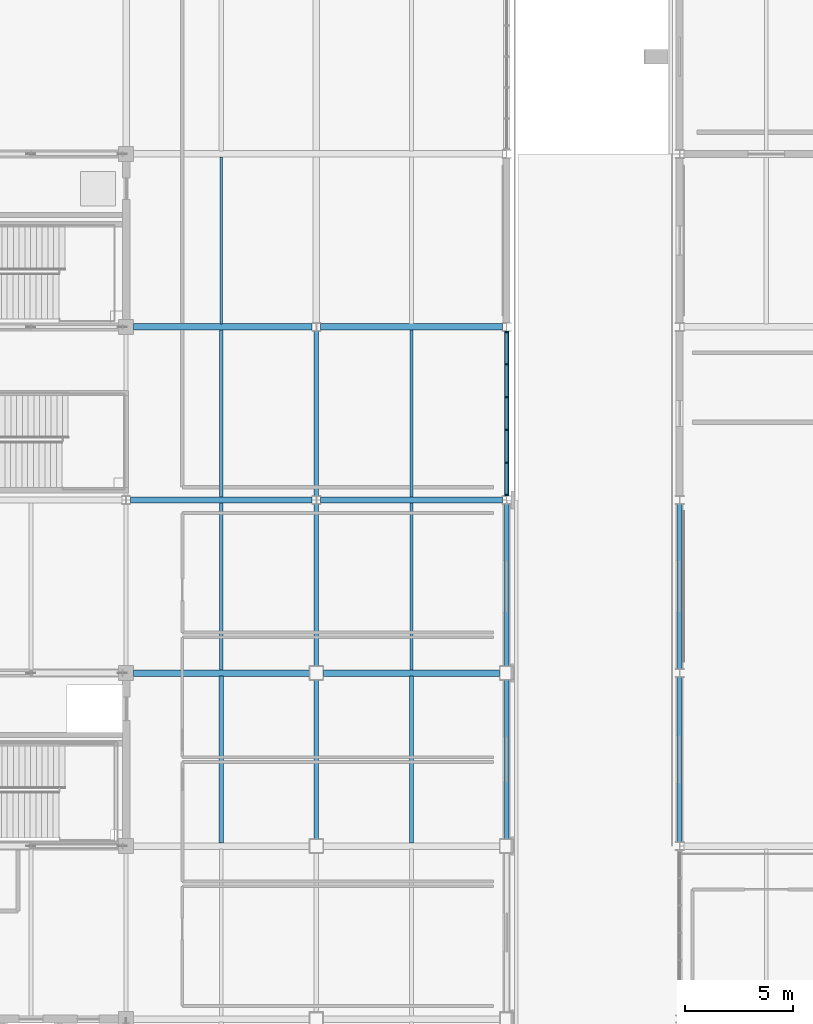
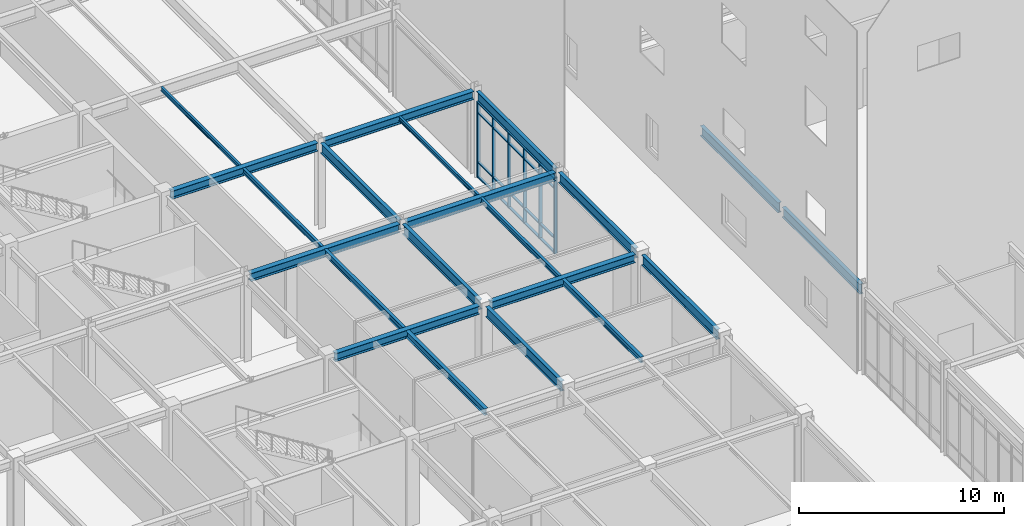
# One storey, part 42 of 119: 26 members, 21 beams, 1 element without a shape of its own.
"""IFC4 building model written with IfcOpenShell, lengths in metres."""

from ifc_helpers import new_model, si_unit, direction, frame, origin, origin_2d, place, context, subcontext, project, spatial, rectangle, i_section, extrude, material, material_profile, profile_set, type_object, element, aggregate, save


model = new_model("IFC4")

# Units and contexts
model_context = context("Model", 3, precision=1e-05, world=origin(), true_north=direction((0.0, 1.0)))
body_context = subcontext(model_context, "Body", "Model", "MODEL_VIEW")
ifc_project = project(units=[si_unit("LENGTHUNIT", "METRE"), si_unit("AREAUNIT", "SQUARE_METRE"), si_unit("VOLUMEUNIT", "CUBIC_METRE"), si_unit("PLANEANGLEUNIT", "RADIAN"), si_unit("MASSUNIT", "GRAM", prefix="KILO")], contexts=[model_context])

# Site, building, storey
site_placement = place(None, origin())
site = spatial("IfcSite", under=ifc_project, at=site_placement, CompositionType="ELEMENT")
building_placement = place(site_placement, origin())
building = spatial("IfcBuilding", under=site, at=building_placement, Name="Zhaolan Boulevard Law Courts", CompositionType="ELEMENT")
storey_placement = place(building_placement, origin())
storey = spatial("IfcBuildingStorey", under=building, at=storey_placement, Name="L00", CompositionType="ELEMENT", Elevation=0.0)

# Curtain wall, members
ifc_material_1 = material(Name="Thermally broken aluminium and low-E glazing", Category="aluminium")
curtain_wall_type = type_object("IfcCurtainWallType", Name="CURTAIN WALL M8", PredefinedType="USERDEFINED", material=ifc_material_1)
curtain_wall_placement = place(storey_placement, origin())
curtain_wall = element("IfcCurtainWall", 1, at=curtain_wall_placement, inside=storey, type_object=curtain_wall_type, Name="Curtain Wall CW-L00-104", ObjectType="CURTAIN WALL", PredefinedType="USERDEFINED")
ifc_material_2 = material(Name="Fluorocarbon-coated aluminium 6063-T6", Category="aluminium")
ifc_material_profile_1 = material_profile(ifc_material_2, rectangle(XDim=0.179931640625, YDim=0.06494140625, at=origin_2d()), Name="AL65x180")
ifc_profile_set_1 = profile_set([ifc_material_profile_1], Name="Fluorocarbon-coated aluminium 6063-T6")
member_type_1 = type_object("IfcMemberType", Name="CWMULLION 65X180", PredefinedType="MULLION", material=ifc_profile_set_1)
member_1_placement = place(storey_placement, frame((44.0, 78.234619140625, 0.0), z_axis=(0.0, 0.0, 1.0), x_axis=(-1.0, 0.0, 0.0)))
member_1 = element("IfcMember", 2, at=member_1_placement, type_object=member_type_1, Name="CW-L00-104 mullion 1", PredefinedType="MULLION", context=body_context, shape_type="SweptSolid", body=[
    extrude(rectangle(XDim=0.179931640625, YDim=0.06494140625, at=origin_2d()), origin(), (0.0, 0.0, 1.0), 4.5029296875),
])
member_2_placement = place(storey_placement, frame((44.0, 79.72119140625, 0.0), z_axis=(0.0, 0.0, 1.0), x_axis=(-1.0, 0.0, 0.0)))
member_2 = element("IfcMember", 3, at=member_2_placement, type_object=member_type_1, Name="CW-L00-104 mullion 2", PredefinedType="MULLION", context=body_context, shape_type="SweptSolid", body=[
    extrude(rectangle(XDim=0.179931640625, YDim=0.06494140625, at=origin_2d()), origin(), (0.0, 0.0, 1.0), 4.5029296875),
])
member_3_placement = place(storey_placement, frame((44.0, 81.240478515625, 0.0), z_axis=(0.0, 0.0, 1.0), x_axis=(-1.0, 0.0, 0.0)))
member_3 = element("IfcMember", 4, at=member_3_placement, type_object=member_type_1, Name="CW-L00-104 mullion 3", PredefinedType="MULLION", context=body_context, shape_type="SweptSolid", body=[
    extrude(rectangle(XDim=0.179931640625, YDim=0.06494140625, at=origin_2d()), origin(), (0.0, 0.0, 1.0), 4.5029296875),
])
member_4_placement = place(storey_placement, frame((44.0, 82.759521484375, 0.0), z_axis=(0.0, 0.0, 1.0), x_axis=(-1.0, 0.0, 0.0)))
member_4 = element("IfcMember", 5, at=member_4_placement, type_object=member_type_1, Name="CW-L00-104 mullion 4", PredefinedType="MULLION", context=body_context, shape_type="SweptSolid", body=[
    extrude(rectangle(XDim=0.179931640625, YDim=0.06494140625, at=origin_2d()), origin(), (0.0, 0.0, 1.0), 4.5029296875),
])
member_5_placement = place(storey_placement, frame((44.0, 84.27880859375, 0.0), z_axis=(0.0, 0.0, 1.0), x_axis=(-1.0, 0.0, 0.0)))
member_5 = element("IfcMember", 6, at=member_5_placement, type_object=member_type_1, Name="CW-L00-104 mullion 5", PredefinedType="MULLION", context=body_context, shape_type="SweptSolid", body=[
    extrude(rectangle(XDim=0.179931640625, YDim=0.06494140625, at=origin_2d()), origin(), (0.0, 0.0, 1.0), 4.5029296875),
])
member_6_placement = place(storey_placement, frame((44.0, 85.765380859375, 0.0), z_axis=(0.0, 0.0, 1.0), x_axis=(-1.0, 0.0, 0.0)))
member_6 = element("IfcMember", 7, at=member_6_placement, type_object=member_type_1, Name="CW-L00-104 mullion 6", PredefinedType="MULLION", context=body_context, shape_type="SweptSolid", body=[
    extrude(rectangle(XDim=0.179931640625, YDim=0.06494140625, at=origin_2d()), origin(), (0.0, 0.0, 1.0), 4.5029296875),
])
ifc_material_3 = material(Name="Fluorocarbon-coated aluminium 6063-T6", Category="aluminium")
ifc_material_profile_2 = material_profile(ifc_material_3, rectangle(XDim=0.139892578125, YDim=0.06494140625, at=origin_2d()), Name="AL65x140")
ifc_profile_set_2 = profile_set([ifc_material_profile_2], Name="Fluorocarbon-coated aluminium 6063-T6")
member_type_2 = type_object("IfcMemberType", Name="CWTRANSOM 65X140", PredefinedType="USERDEFINED", material=ifc_profile_set_2)
member_7_placement = place(storey_placement, frame((44.0, 78.26708984375, 0.032470703125), z_axis=(0.0, 1.0, 0.0), x_axis=(-1.0, 0.0, 0.0)))
member_7 = element("IfcMember", 8, at=member_7_placement, type_object=member_type_2, Name="CW-L00-104 transom 1.1", ObjectType="TRANSOM", PredefinedType="USERDEFINED", context=body_context, shape_type="SweptSolid", body=[
    extrude(rectangle(XDim=0.139892578125, YDim=0.06494140625, at=origin_2d()), origin(), (0.0, 0.0, 1.0), 1.421630859375),
])
member_8_placement = place(storey_placement, frame((44.0, 78.26708984375, 0.89990234375), z_axis=(0.0, 1.0, 0.0), x_axis=(-1.0, 0.0, 0.0)))
member_8 = element("IfcMember", 9, at=member_8_placement, type_object=member_type_2, Name="CW-L00-104 transom 1.2", ObjectType="TRANSOM", PredefinedType="USERDEFINED", context=body_context, shape_type="SweptSolid", body=[
    extrude(rectangle(XDim=0.139892578125, YDim=0.06494140625, at=origin_2d()), origin(), (0.0, 0.0, 1.0), 1.421630859375),
])
member_9_placement = place(storey_placement, frame((44.0, 78.26708984375, 3.85302734375), z_axis=(0.0, 1.0, 0.0), x_axis=(-1.0, 0.0, 0.0)))
member_9 = element("IfcMember", 10, at=member_9_placement, type_object=member_type_2, Name="CW-L00-104 transom 1.3", ObjectType="TRANSOM", PredefinedType="USERDEFINED", context=body_context, shape_type="SweptSolid", body=[
    extrude(rectangle(XDim=0.139892578125, YDim=0.06494140625, at=origin_2d()), origin(), (0.0, 0.0, 1.0), 1.421630859375),
])
member_10_placement = place(storey_placement, frame((44.0, 78.26708984375, 4.470458984375), z_axis=(0.0, 1.0, 0.0), x_axis=(-1.0, 0.0, 0.0)))
member_10 = element("IfcMember", 11, at=member_10_placement, type_object=member_type_2, Name="CW-L00-104 transom 1.4", ObjectType="TRANSOM", PredefinedType="USERDEFINED", context=body_context, shape_type="SweptSolid", body=[
    extrude(rectangle(XDim=0.139892578125, YDim=0.06494140625, at=origin_2d()), origin(), (0.0, 0.0, 1.0), 1.421630859375),
])
member_11_placement = place(storey_placement, frame((44.0, 79.753662109375, 0.032470703125), z_axis=(0.0, 1.0, 0.0), x_axis=(-1.0, 0.0, 0.0)))
member_11 = element("IfcMember", 12, at=member_11_placement, type_object=member_type_2, Name="CW-L00-104 transom 2.1", ObjectType="TRANSOM", PredefinedType="USERDEFINED", context=body_context, shape_type="SweptSolid", body=[
    extrude(rectangle(XDim=0.139892578125, YDim=0.06494140625, at=origin_2d()), origin(), (0.0, 0.0, 1.0), 1.454345703125),
])
member_12_placement = place(storey_placement, frame((44.0, 79.753662109375, 0.89990234375), z_axis=(0.0, 1.0, 0.0), x_axis=(-1.0, 0.0, 0.0)))
member_12 = element("IfcMember", 13, at=member_12_placement, type_object=member_type_2, Name="CW-L00-104 transom 2.2", ObjectType="TRANSOM", PredefinedType="USERDEFINED", context=body_context, shape_type="SweptSolid", body=[
    extrude(rectangle(XDim=0.139892578125, YDim=0.06494140625, at=origin_2d()), origin(), (0.0, 0.0, 1.0), 1.454345703125),
])
member_13_placement = place(storey_placement, frame((44.0, 79.753662109375, 3.85302734375), z_axis=(0.0, 1.0, 0.0), x_axis=(-1.0, 0.0, 0.0)))
member_13 = element("IfcMember", 14, at=member_13_placement, type_object=member_type_2, Name="CW-L00-104 transom 2.3", ObjectType="TRANSOM", PredefinedType="USERDEFINED", context=body_context, shape_type="SweptSolid", body=[
    extrude(rectangle(XDim=0.139892578125, YDim=0.06494140625, at=origin_2d()), origin(), (0.0, 0.0, 1.0), 1.454345703125),
])
member_14_placement = place(storey_placement, frame((44.0, 79.753662109375, 4.470458984375), z_axis=(0.0, 1.0, 0.0), x_axis=(-1.0, 0.0, 0.0)))
member_14 = element("IfcMember", 15, at=member_14_placement, type_object=member_type_2, Name="CW-L00-104 transom 2.4", ObjectType="TRANSOM", PredefinedType="USERDEFINED", context=body_context, shape_type="SweptSolid", body=[
    extrude(rectangle(XDim=0.139892578125, YDim=0.06494140625, at=origin_2d()), origin(), (0.0, 0.0, 1.0), 1.454345703125),
])
member_15_placement = place(storey_placement, frame((44.0, 81.27294921875, 0.032470703125), z_axis=(0.0, 1.0, 0.0), x_axis=(-1.0, 0.0, 0.0)))
member_15 = element("IfcMember", 16, at=member_15_placement, type_object=member_type_2, Name="CW-L00-104 transom 3.1", ObjectType="TRANSOM", PredefinedType="USERDEFINED", context=body_context, shape_type="SweptSolid", body=[
    extrude(rectangle(XDim=0.139892578125, YDim=0.06494140625, at=origin_2d()), origin(), (0.0, 0.0, 1.0), 1.4541015625),
])
member_16_placement = place(storey_placement, frame((44.0, 81.27294921875, 0.89990234375), z_axis=(0.0, 1.0, 0.0), x_axis=(-1.0, 0.0, 0.0)))
member_16 = element("IfcMember", 17, at=member_16_placement, type_object=member_type_2, Name="CW-L00-104 transom 3.2", ObjectType="TRANSOM", PredefinedType="USERDEFINED", context=body_context, shape_type="SweptSolid", body=[
    extrude(rectangle(XDim=0.139892578125, YDim=0.06494140625, at=origin_2d()), origin(), (0.0, 0.0, 1.0), 1.4541015625),
])
member_17_placement = place(storey_placement, frame((44.0, 81.27294921875, 3.85302734375), z_axis=(0.0, 1.0, 0.0), x_axis=(-1.0, 0.0, 0.0)))
member_17 = element("IfcMember", 18, at=member_17_placement, type_object=member_type_2, Name="CW-L00-104 transom 3.3", ObjectType="TRANSOM", PredefinedType="USERDEFINED", context=body_context, shape_type="SweptSolid", body=[
    extrude(rectangle(XDim=0.139892578125, YDim=0.06494140625, at=origin_2d()), origin(), (0.0, 0.0, 1.0), 1.4541015625),
])
member_18_placement = place(storey_placement, frame((44.0, 81.27294921875, 4.470458984375), z_axis=(0.0, 1.0, 0.0), x_axis=(-1.0, 0.0, 0.0)))
member_18 = element("IfcMember", 19, at=member_18_placement, type_object=member_type_2, Name="CW-L00-104 transom 3.4", ObjectType="TRANSOM", PredefinedType="USERDEFINED", context=body_context, shape_type="SweptSolid", body=[
    extrude(rectangle(XDim=0.139892578125, YDim=0.06494140625, at=origin_2d()), origin(), (0.0, 0.0, 1.0), 1.4541015625),
])
member_19_placement = place(storey_placement, frame((44.0, 82.7919921875, 0.032470703125), z_axis=(0.0, 1.0, 0.0), x_axis=(-1.0, 0.0, 0.0)))
member_19 = element("IfcMember", 20, at=member_19_placement, type_object=member_type_2, Name="CW-L00-104 transom 4.1", ObjectType="TRANSOM", PredefinedType="USERDEFINED", context=body_context, shape_type="SweptSolid", body=[
    extrude(rectangle(XDim=0.139892578125, YDim=0.06494140625, at=origin_2d()), origin(), (0.0, 0.0, 1.0), 1.454345703125),
])
member_20_placement = place(storey_placement, frame((44.0, 82.7919921875, 0.89990234375), z_axis=(0.0, 1.0, 0.0), x_axis=(-1.0, 0.0, 0.0)))
member_20 = element("IfcMember", 21, at=member_20_placement, type_object=member_type_2, Name="CW-L00-104 transom 4.2", ObjectType="TRANSOM", PredefinedType="USERDEFINED", context=body_context, shape_type="SweptSolid", body=[
    extrude(rectangle(XDim=0.139892578125, YDim=0.06494140625, at=origin_2d()), origin(), (0.0, 0.0, 1.0), 1.454345703125),
])
member_21_placement = place(storey_placement, frame((44.0, 82.7919921875, 3.85302734375), z_axis=(0.0, 1.0, 0.0), x_axis=(-1.0, 0.0, 0.0)))
member_21 = element("IfcMember", 22, at=member_21_placement, type_object=member_type_2, Name="CW-L00-104 transom 4.3", ObjectType="TRANSOM", PredefinedType="USERDEFINED", context=body_context, shape_type="SweptSolid", body=[
    extrude(rectangle(XDim=0.139892578125, YDim=0.06494140625, at=origin_2d()), origin(), (0.0, 0.0, 1.0), 1.454345703125),
])
member_22_placement = place(storey_placement, frame((44.0, 82.7919921875, 4.470458984375), z_axis=(0.0, 1.0, 0.0), x_axis=(-1.0, 0.0, 0.0)))
member_22 = element("IfcMember", 23, at=member_22_placement, type_object=member_type_2, Name="CW-L00-104 transom 4.4", ObjectType="TRANSOM", PredefinedType="USERDEFINED", context=body_context, shape_type="SweptSolid", body=[
    extrude(rectangle(XDim=0.139892578125, YDim=0.06494140625, at=origin_2d()), origin(), (0.0, 0.0, 1.0), 1.454345703125),
])
member_23_placement = place(storey_placement, frame((44.0, 84.311279296875, 0.032470703125), z_axis=(0.0, 1.0, 0.0), x_axis=(-1.0, 0.0, 0.0)))
member_23 = element("IfcMember", 24, at=member_23_placement, type_object=member_type_2, Name="CW-L00-104 transom 5.1", ObjectType="TRANSOM", PredefinedType="USERDEFINED", context=body_context, shape_type="SweptSolid", body=[
    extrude(rectangle(XDim=0.139892578125, YDim=0.06494140625, at=origin_2d()), origin(), (0.0, 0.0, 1.0), 1.421630859375),
])
member_24_placement = place(storey_placement, frame((44.0, 84.311279296875, 0.89990234375), z_axis=(0.0, 1.0, 0.0), x_axis=(-1.0, 0.0, 0.0)))
member_24 = element("IfcMember", 25, at=member_24_placement, type_object=member_type_2, Name="CW-L00-104 transom 5.2", ObjectType="TRANSOM", PredefinedType="USERDEFINED", context=body_context, shape_type="SweptSolid", body=[
    extrude(rectangle(XDim=0.139892578125, YDim=0.06494140625, at=origin_2d()), origin(), (0.0, 0.0, 1.0), 1.421630859375),
])
member_25_placement = place(storey_placement, frame((44.0, 84.311279296875, 3.85302734375), z_axis=(0.0, 1.0, 0.0), x_axis=(-1.0, 0.0, 0.0)))
member_25 = element("IfcMember", 26, at=member_25_placement, type_object=member_type_2, Name="CW-L00-104 transom 5.3", ObjectType="TRANSOM", PredefinedType="USERDEFINED", context=body_context, shape_type="SweptSolid", body=[
    extrude(rectangle(XDim=0.139892578125, YDim=0.06494140625, at=origin_2d()), origin(), (0.0, 0.0, 1.0), 1.421630859375),
])
member_26_placement = place(storey_placement, frame((44.0, 84.311279296875, 4.470458984375), z_axis=(0.0, 1.0, 0.0), x_axis=(-1.0, 0.0, 0.0)))
member_26 = element("IfcMember", 27, at=member_26_placement, type_object=member_type_2, Name="CW-L00-104 transom 5.4", ObjectType="TRANSOM", PredefinedType="USERDEFINED", context=body_context, shape_type="SweptSolid", body=[
    extrude(rectangle(XDim=0.139892578125, YDim=0.06494140625, at=origin_2d()), origin(), (0.0, 0.0, 1.0), 1.421630859375),
])
aggregate(curtain_wall, [member_1, member_2, member_3, member_4, member_5, member_6, member_7, member_8, member_9, member_10, member_11, member_12, member_13, member_14, member_15, member_16, member_17, member_18, member_19, member_20, member_21, member_22, member_23, member_24, member_25, member_26])

# Beams
ifc_material_4 = material(Name="Structural steel Q355B", Category="steel")
ifc_material_profile_3 = material_profile(ifc_material_4, i_section(OverallWidth=0.300048828125, OverallDepth=0.488037109375, WebThickness=0.010986328125, FlangeThickness=0.01806640625, FilletRadius=0.02197265625, at=origin_2d()), Name="HM488x300")
ifc_profile_set_3 = profile_set([ifc_material_profile_3], Name="Structural steel Q355B")
beam_type_1 = type_object("IfcBeamType", Name="GIRDER HM500", PredefinedType="BEAM", material=ifc_profile_set_3)
beam_1_placement = place(storey_placement, frame((26.74609375, 70.0, 4.89404296875), z_axis=(1.0, 0.0, 0.0), x_axis=(0.0, 1.0, 0.0)))
element("IfcBeam", 28, at=beam_1_placement, inside=storey, type_object=beam_type_1, Name="Beam BX-L01-4-5-K", PredefinedType="BEAM", context=body_context, shape_type="SweptSolid", body=[
    extrude(i_section(OverallWidth=0.300048828125, OverallDepth=0.488037109375, WebThickness=0.010986328125, FlangeThickness=0.01806640625, FilletRadius=0.02197265625, at=origin_2d()), origin(), (0.0, 0.0, 1.0), 8.1328125),
])
beam_2_placement = place(storey_placement, frame((35.52099609375, 70.0, 4.89404296875), z_axis=(1.0, 0.0, 0.0), x_axis=(0.0, 1.0, 0.0)))
element("IfcBeam", 29, at=beam_2_placement, inside=storey, type_object=beam_type_1, Name="Beam BX-L01-5-6-K", PredefinedType="BEAM", context=body_context, shape_type="SweptSolid", body=[
    extrude(i_section(OverallWidth=0.300048828125, OverallDepth=0.488037109375, WebThickness=0.010986328125, FlangeThickness=0.01806640625, FilletRadius=0.02197265625, at=origin_2d()), origin(), (0.0, 0.0, 1.0), 8.157958984375),
])
for number, where, z_axis, x_axis, name in (
    (30, (26.595947265625, 78.0, 4.8740234375), (1.0, 0.0, 0.0), (0.0, 1.0, 0.0), "Beam BX-L01-4-5-L"),
    (31, (35.39599609375, 78.0, 4.8740234375), (1.0, 0.0, 0.0), (0.0, 1.0, 0.0), "Beam BX-L01-5-6-L"),
):
    element("IfcBeam", number, at=place(storey_placement, frame(where, z_axis=z_axis, x_axis=x_axis)), inside=storey, type_object=beam_type_1, Name=name, PredefinedType="BEAM", context=body_context, shape_type="SweptSolid", body=[
        extrude(i_section(OverallWidth=0.300048828125, OverallDepth=0.488037109375, WebThickness=0.010986328125, FlangeThickness=0.01806640625, FilletRadius=0.02197265625, at=origin_2d()), origin(), (0.0, 0.0, 1.0), 8.407958984375),
    ])
beam_3_placement = place(storey_placement, frame((26.74609375, 86.0, 4.8740234375), z_axis=(1.0, 0.0, 0.0), x_axis=(0.0, 1.0, 0.0)))
element("IfcBeam", 32, at=beam_3_placement, inside=storey, type_object=beam_type_1, Name="Beam BX-L01-4-5-M", PredefinedType="BEAM", context=body_context, shape_type="SweptSolid", body=[
    extrude(i_section(OverallWidth=0.300048828125, OverallDepth=0.488037109375, WebThickness=0.010986328125, FlangeThickness=0.01806640625, FilletRadius=0.02197265625, at=origin_2d()), origin(), (0.0, 0.0, 1.0), 8.2578125),
])
beam_4_placement = place(storey_placement, frame((35.39599609375, 86.0, 4.8740234375), z_axis=(1.0, 0.0, 0.0), x_axis=(0.0, 1.0, 0.0)))
element("IfcBeam", 33, at=beam_4_placement, inside=storey, type_object=beam_type_1, Name="Beam BX-L01-5-6-M", PredefinedType="BEAM", context=body_context, shape_type="SweptSolid", body=[
    extrude(i_section(OverallWidth=0.300048828125, OverallDepth=0.488037109375, WebThickness=0.010986328125, FlangeThickness=0.01806640625, FilletRadius=0.02197265625, at=origin_2d()), origin(), (0.0, 0.0, 1.0), 8.407958984375),
])
ifc_material_5 = material(Name="Structural steel Q355B", Category="steel")
ifc_material_profile_4 = material_profile(ifc_material_5, i_section(OverallWidth=0.199951171875, OverallDepth=0.60009765625, WebThickness=0.010986328125, FlangeThickness=0.01708984375, FilletRadius=0.02001953125, at=origin_2d()), Name="HN600x200")
ifc_profile_set_4 = profile_set([ifc_material_profile_4], Name="Structural steel Q355B")
beam_type_2 = type_object("IfcBeamType", Name="GIRDER HN600", PredefinedType="BEAM", material=ifc_profile_set_4)
beam_5_placement = place(storey_placement, frame((35.199951171875, 62.321044921875, 4.837890625), z_axis=(0.0, 1.0, 0.0), x_axis=(-1.0, 0.0, 0.0)))
element("IfcBeam", 34, at=beam_5_placement, inside=storey, type_object=beam_type_2, Name="Beam BY-L01-5-J-K", PredefinedType="BEAM", context=body_context, shape_type="SweptSolid", body=[
    extrude(i_section(OverallWidth=0.199951171875, OverallDepth=0.60009765625, WebThickness=0.010986328125, FlangeThickness=0.01708984375, FilletRadius=0.02001953125, at=origin_2d()), origin(), (0.0, 0.0, 1.0), 7.35791015625),
])
beam_6_placement = place(storey_placement, frame((35.199951171875, 70.321044921875, 4.837890625), z_axis=(0.0, 1.0, 0.0), x_axis=(-1.0, 0.0, 0.0)))
element("IfcBeam", 35, at=beam_6_placement, inside=storey, type_object=beam_type_2, Name="Beam BY-L01-5-K-L", PredefinedType="BEAM", context=body_context, shape_type="SweptSolid", body=[
    extrude(i_section(OverallWidth=0.199951171875, OverallDepth=0.60009765625, WebThickness=0.010986328125, FlangeThickness=0.01708984375, FilletRadius=0.02001953125, at=origin_2d()), origin(), (0.0, 0.0, 1.0), 7.48291015625),
])
beam_7_placement = place(storey_placement, frame((35.199951171875, 78.196044921875, 4.818115234375), z_axis=(0.0, 1.0, 0.0), x_axis=(-1.0, 0.0, 0.0)))
element("IfcBeam", 36, at=beam_7_placement, inside=storey, type_object=beam_type_2, Name="Beam BY-L01-5-L-M", PredefinedType="BEAM", context=body_context, shape_type="SweptSolid", body=[
    extrude(i_section(OverallWidth=0.199951171875, OverallDepth=0.60009765625, WebThickness=0.010986328125, FlangeThickness=0.01708984375, FilletRadius=0.02001953125, at=origin_2d()), origin(), (0.0, 0.0, 1.0), 7.60791015625),
])
beam_8_placement = place(storey_placement, frame((44.0, 62.321044921875, 4.837890625), z_axis=(0.0, 1.0, 0.0), x_axis=(-1.0, 0.0, 0.0)))
element("IfcBeam", 37, at=beam_8_placement, inside=storey, type_object=beam_type_2, Name="Beam BY-L01-6-J-K", PredefinedType="BEAM", context=body_context, shape_type="SweptSolid", body=[
    extrude(i_section(OverallWidth=0.199951171875, OverallDepth=0.60009765625, WebThickness=0.010986328125, FlangeThickness=0.01708984375, FilletRadius=0.02001953125, at=origin_2d()), origin(), (0.0, 0.0, 1.0), 7.35791015625),
])
beam_9_placement = place(storey_placement, frame((44.0, 70.321044921875, 4.837890625), z_axis=(0.0, 1.0, 0.0), x_axis=(-1.0, 0.0, 0.0)))
element("IfcBeam", 38, at=beam_9_placement, inside=storey, type_object=beam_type_2, Name="Beam BY-L01-6-K-L", PredefinedType="BEAM", context=body_context, shape_type="SweptSolid", body=[
    extrude(i_section(OverallWidth=0.199951171875, OverallDepth=0.60009765625, WebThickness=0.010986328125, FlangeThickness=0.01708984375, FilletRadius=0.02001953125, at=origin_2d()), origin(), (0.0, 0.0, 1.0), 7.48291015625),
])
for number, where, z_axis, x_axis, name in (
    (39, (44.0, 78.196044921875, 4.818115234375), (0.0, 1.0, 0.0), (-1.0, 0.0, 0.0), "Beam BY-L01-6-L-M"),
    (40, (52.0, 62.196044921875, 4.818115234375), (0.0, 1.0, 0.0), (-1.0, 0.0, 0.0), "Beam BY-L01-7-J-K"),
    (41, (52.0, 70.196044921875, 4.818115234375), (0.0, 1.0, 0.0), (-1.0, 0.0, 0.0), "Beam BY-L01-7-K-L"),
):
    element("IfcBeam", number, at=place(storey_placement, frame(where, z_axis=z_axis, x_axis=x_axis)), inside=storey, type_object=beam_type_2, Name=name, PredefinedType="BEAM", context=body_context, shape_type="SweptSolid", body=[
        extrude(i_section(OverallWidth=0.199951171875, OverallDepth=0.60009765625, WebThickness=0.010986328125, FlangeThickness=0.01708984375, FilletRadius=0.02001953125, at=origin_2d()), origin(), (0.0, 0.0, 1.0), 7.60791015625),
    ])
ifc_material_6 = material(Name="Structural steel Q355B", Category="steel")
ifc_material_profile_5 = material_profile(ifc_material_6, i_section(OverallWidth=0.125, OverallDepth=0.25, WebThickness=0.006103515625, FlangeThickness=0.009033203125, FilletRadius=0.010009765625, at=origin_2d()), Name="HN250x125")
ifc_profile_set_5 = profile_set([ifc_material_profile_5], Name="Structural steel Q355B")
beam_type_3 = type_object("IfcBeamType", Name="JOIST HN250", PredefinedType="JOIST", material=ifc_profile_set_5)
for number, where, z_axis, x_axis, name in (
    (42, (30.800048828125, 86.14599609375, 4.992919921875), (0.0, 1.0, 0.0), (-1.0, 0.0, 0.0), "Composite Joist J-L01-4M"),
    (43, (39.60009765625, 78.14599609375, 4.992919921875), (0.0, 1.0, 0.0), (-1.0, 0.0, 0.0), "Composite Joist J-L01-5L"),
):
    element("IfcBeam", number, at=place(storey_placement, frame(where, z_axis=z_axis, x_axis=x_axis)), inside=storey, type_object=beam_type_3, Name=name, PredefinedType="JOIST", context=body_context, shape_type="SweptSolid", body=[
        extrude(i_section(OverallWidth=0.125, OverallDepth=0.25, WebThickness=0.006103515625, FlangeThickness=0.009033203125, FilletRadius=0.010009765625, at=origin_2d()), origin(), (0.0, 0.0, 1.0), 7.7080078125),
    ])
ifc_material_7 = material(Name="Structural steel Q355B", Category="steel")
ifc_material_profile_6 = material_profile(ifc_material_7, i_section(OverallWidth=0.14990234375, OverallDepth=0.300048828125, WebThickness=0.006591796875, FlangeThickness=0.009033203125, FilletRadius=0.010986328125, at=origin_2d()), Name="HN300x150")
ifc_profile_set_6 = profile_set([ifc_material_profile_6], Name="Structural steel Q355B")
beam_type_4 = type_object("IfcBeamType", Name="JOIST HN300", PredefinedType="JOIST", material=ifc_profile_set_6)
for number, where, z_axis, x_axis, name in (
    (44, (30.800048828125, 78.14599609375, 4.968017578125), (0.0, 1.0, 0.0), (-1.0, 0.0, 0.0), "Composite Joist J-L01-4L"),
    (45, (39.60009765625, 70.14599609375, 4.988037109375), (0.0, 1.0, 0.0), (-1.0, 0.0, 0.0), "Composite Joist J-L01-5K"),
):
    element("IfcBeam", number, at=place(storey_placement, frame(where, z_axis=z_axis, x_axis=x_axis)), inside=storey, type_object=beam_type_4, Name=name, PredefinedType="JOIST", context=body_context, shape_type="SweptSolid", body=[
        extrude(i_section(OverallWidth=0.14990234375, OverallDepth=0.300048828125, WebThickness=0.006591796875, FlangeThickness=0.009033203125, FilletRadius=0.010986328125, at=origin_2d()), origin(), (0.0, 0.0, 1.0), 7.7080078125),
    ])
ifc_material_8 = material(Name="Structural steel Q355B", Category="steel")
ifc_material_profile_7 = material_profile(ifc_material_8, i_section(OverallWidth=0.175048828125, OverallDepth=0.35009765625, WebThickness=0.007080078125, FlangeThickness=0.010986328125, FilletRadius=0.012939453125, at=origin_2d()), Name="HN350x175")
ifc_profile_set_7 = profile_set([ifc_material_profile_7], Name="Structural steel Q355B")
beam_type_5 = type_object("IfcBeamType", Name="JOIST HN350", PredefinedType="JOIST", material=ifc_profile_set_7)
for number, where, z_axis, x_axis, name in (
    (46, (30.800048828125, 70.14599609375, 4.962890625), (0.0, 1.0, 0.0), (-1.0, 0.0, 0.0), "Composite Joist J-L01-4K"),
    (47, (39.60009765625, 62.14599609375, 4.962890625), (0.0, 1.0, 0.0), (-1.0, 0.0, 0.0), "Composite Joist J-L01-5J"),
):
    element("IfcBeam", number, at=place(storey_placement, frame(where, z_axis=z_axis, x_axis=x_axis)), inside=storey, type_object=beam_type_5, Name=name, PredefinedType="JOIST", context=body_context, shape_type="SweptSolid", body=[
        extrude(i_section(OverallWidth=0.175048828125, OverallDepth=0.35009765625, WebThickness=0.007080078125, FlangeThickness=0.010986328125, FilletRadius=0.012939453125, at=origin_2d()), origin(), (0.0, 0.0, 1.0), 7.7080078125),
    ])
ifc_material_9 = material(Name="Structural steel Q355B", Category="steel")
ifc_material_profile_8 = material_profile(ifc_material_9, i_section(OverallWidth=0.199951171875, OverallDepth=0.39990234375, WebThickness=0.008056640625, FlangeThickness=0.012939453125, FilletRadius=0.013916015625, at=origin_2d()), Name="HN400x200")
ifc_profile_set_8 = profile_set([ifc_material_profile_8], Name="Structural steel Q355B")
beam_type_6 = type_object("IfcBeamType", Name="JOIST HN400", PredefinedType="JOIST", material=ifc_profile_set_8)
beam_10_placement = place(storey_placement, frame((30.800048828125, 62.14599609375, 4.93798828125), z_axis=(0.0, 1.0, 0.0), x_axis=(-1.0, 0.0, 0.0)))
element("IfcBeam", 48, at=beam_10_placement, inside=storey, type_object=beam_type_6, Name="Composite Joist J-L01-4J", PredefinedType="JOIST", context=body_context, shape_type="SweptSolid", body=[
    extrude(i_section(OverallWidth=0.199951171875, OverallDepth=0.39990234375, WebThickness=0.008056640625, FlangeThickness=0.012939453125, FilletRadius=0.013916015625, at=origin_2d()), origin(), (0.0, 0.0, 1.0), 7.7080078125),
])

save(model, "model.ifc")
